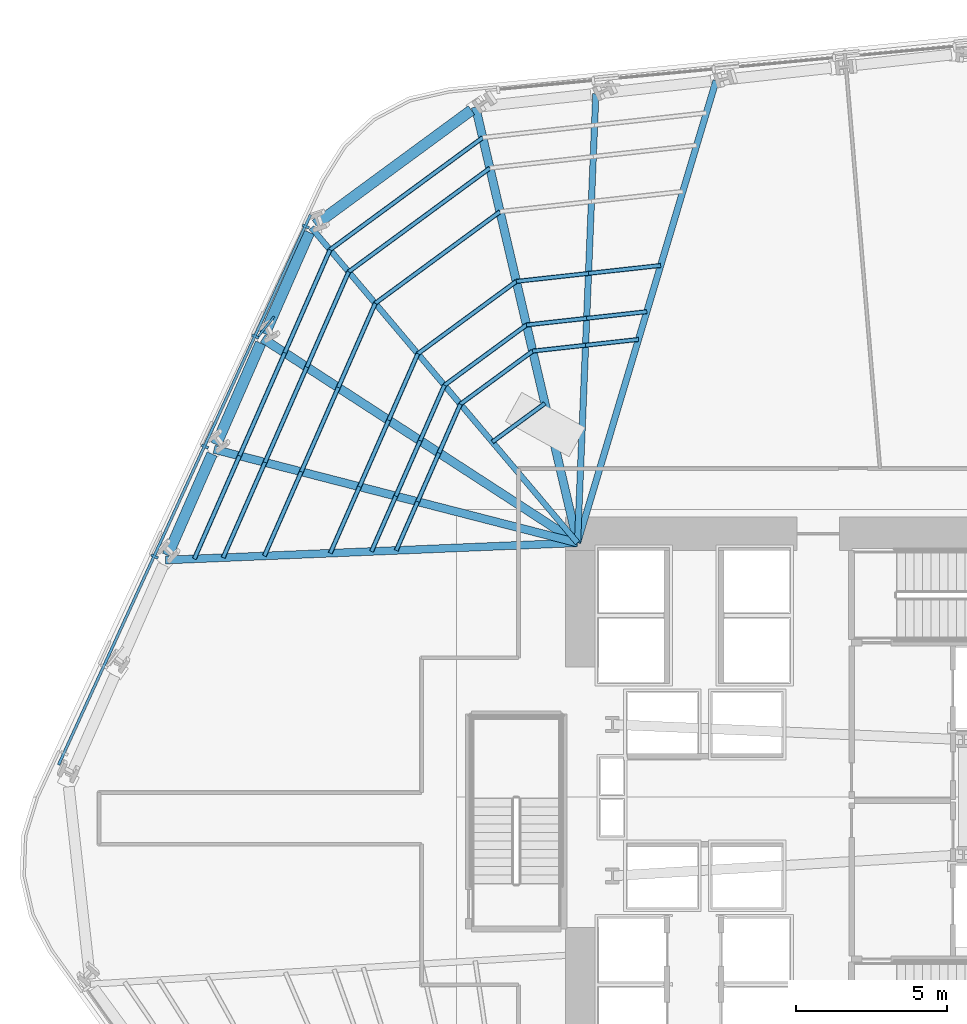
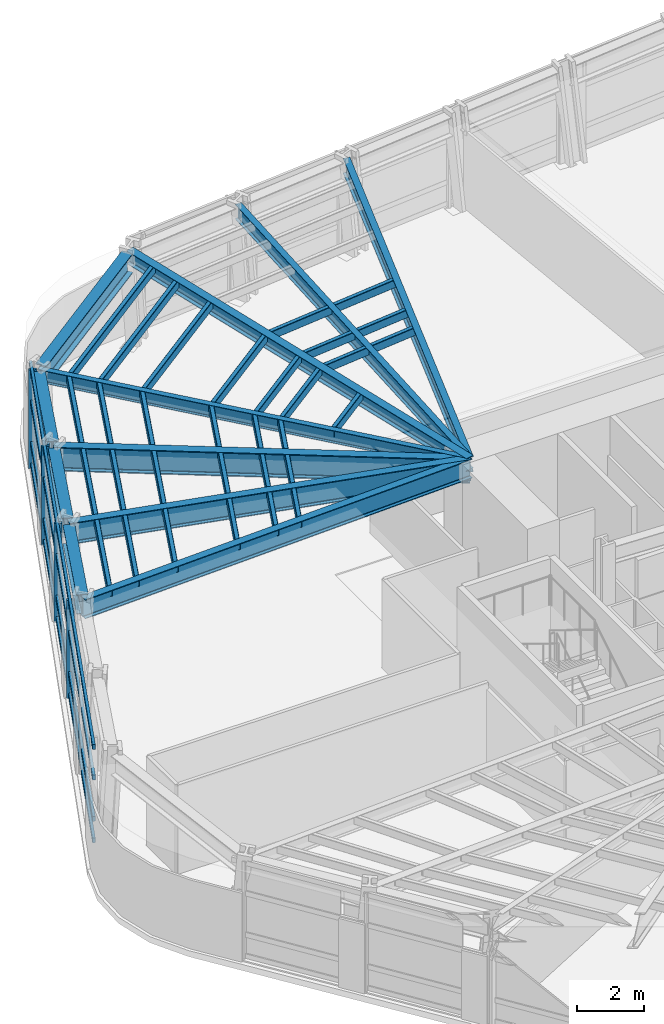
# One storey, part 5 of 16: 40 members, 11 beams, 1 element without a shape of its own.
"""IFC4 building model written with IfcOpenShell, lengths in metres."""

import ifcopenshell
import ifcopenshell.guid

model = None  # the IFC model being written
_history = None  # IfcOwnerHistory: only IFC2X3 demands one
_inside = {}  # id of a spatial element -> (the spatial element, [elements in it])
_under = {}  # id of a project, library or spatial element -> (it, [spatial elements below it])
_declared = {}  # id of a project -> (the project, [libraries it declares])
_typed = {}  # id of a type object -> (the type object, [elements of that type])
_made_of = {}  # id of a material, layer set ... -> (it, [elements and type objects made of it])


def new_model(schema):
    """Start an empty IFC model of exactly this schema.

    Asked for "IFC4X3", IfcOpenShell would pick the latest addendum, in which some entities
    have other attributes; the version numbers below select the first issue.
    IFC2X3 requires an IfcOwnerHistory on every rooted entity: one is made here for all.
    """
    global model, _history
    if schema == "IFC4X3":
        model = ifcopenshell.file(schema_version=(4, 3, 0, 0))
    else:
        model = ifcopenshell.file(schema=schema)
    _inside.clear()
    _under.clear()
    _declared.clear()
    _typed.clear()
    _made_of.clear()
    _history = None
    if model.schema == "IFC2X3":
        org = make("IfcOrganization", Name="unknown")
        user = make(
            "IfcPersonAndOrganization",
            ThePerson=make("IfcPerson", FamilyName="unknown"),
            TheOrganization=org,
        )
        app = make(
            "IfcApplication",
            ApplicationDeveloper=org,
            Version="unknown",
            ApplicationFullName="unknown",
            ApplicationIdentifier="unknown",
        )
        _history = make(
            "IfcOwnerHistory",
            OwningUser=user,
            OwningApplication=app,
            ChangeAction="ADDED",
            CreationDate=0,
        )
    return model


def make(cls, **values):
    """One entity of the class cls with the attributes given. An attribute that is None is left unset."""
    return model.create_entity(
        cls, **{name: value for name, value in values.items() if value is not None}
    )


def rooted(cls, **values):
    """An entity with a GlobalId (a new one), such as an element, a storey or a relation."""
    return make(cls, GlobalId=ifcopenshell.guid.new(), OwnerHistory=_history, **values)


def si_unit(unit_type, name, prefix=None):
    """IfcSIUnit, for example si_unit("LENGTHUNIT", "METRE", prefix="MILLI")."""
    return make("IfcSIUnit", UnitType=unit_type, Prefix=prefix, Name=name)


def assignment(units):
    """IfcUnitAssignment: the units of a project."""
    return None if units is None else make("IfcUnitAssignment", Units=units)


def point(xyz):
    """IfcCartesianPoint."""
    return None if xyz is None else make("IfcCartesianPoint", Coordinates=xyz)


def direction(xyz):
    """IfcDirection."""
    return None if xyz is None else make("IfcDirection", DirectionRatios=xyz)


def frame(location, z_axis=None, x_axis=None):
    """IfcAxis2Placement3D, a coordinate frame: its origin and axes. An axis left out is left unset."""
    return make(
        "IfcAxis2Placement3D",
        Location=point(location),
        Axis=direction(z_axis),
        RefDirection=direction(x_axis),
    )


def frame_2d(location, x_axis=None):
    """IfcAxis2Placement2D, a coordinate frame in the plane: its origin and x axis."""
    return make(
        "IfcAxis2Placement2D", Location=point(location), RefDirection=direction(x_axis)
    )


def origin():
    """The frame at (0, 0, 0) with its axes left unset."""
    return frame((0.0, 0.0, 0.0))


def origin_2d():
    """The frame at (0, 0) in the plane with its x axis left unset."""
    return frame_2d((0.0, 0.0))


def place(relative_to, where):
    """IfcLocalPlacement: puts the frame where relative to a parent placement (None: the world)."""
    return make(
        "IfcLocalPlacement", PlacementRelTo=relative_to, RelativePlacement=where
    )


def context(
    kind, dimensions, precision=None, world=None, true_north=None, identifier=None
):
    """IfcGeometricRepresentationContext, for example the 3D "Model" context."""
    return make(
        "IfcGeometricRepresentationContext",
        ContextIdentifier=identifier,
        ContextType=kind,
        CoordinateSpaceDimension=dimensions,
        Precision=precision,
        WorldCoordinateSystem=world,
        TrueNorth=true_north,
    )


def subcontext(parent, identifier, kind, view, scale=None):
    """IfcGeometricRepresentationSubContext, for example "Body" below "Model"."""
    return make(
        "IfcGeometricRepresentationSubContext",
        ContextIdentifier=identifier,
        ContextType=kind,
        ParentContext=parent,
        TargetScale=scale,
        TargetView=view,
    )


def project(units=None, contexts=None):
    """IfcProject with its units and contexts."""
    return rooted(
        "IfcProject",
        Name="project",
        RepresentationContexts=contexts,
        UnitsInContext=assignment(units),
    )


def spatial(cls, under=None, at=None, **own):
    """A site, building, storey or space (cls), placed at a placement, below another one or the project."""
    s = rooted(cls, ObjectPlacement=at, **own)
    if under is not None:
        _under.setdefault(under.id(), (under, []))[1].append(s)
    return s


def profile(cls, at=None, kind="AREA", **sizes):
    """A parametric profile (cls). Its sizes go by their IFC names, for example OverallWidth=200.0."""
    return make(cls, ProfileType=kind, Position=at, **sizes)


def rectangle(**sizes):
    """IfcRectangleProfileDef."""
    return profile("IfcRectangleProfileDef", **sizes)


def hollow_rectangle(**sizes):
    """IfcRectangleHollowProfileDef."""
    return profile("IfcRectangleHollowProfileDef", **sizes)


def i_section(**sizes):
    """IfcIShapeProfileDef."""
    return profile("IfcIShapeProfileDef", **sizes)


def extrude(swept, where, along, depth):
    """IfcExtrudedAreaSolid: the profile swept, set in the frame where, extruded along a direction by depth."""
    return make(
        "IfcExtrudedAreaSolid",
        SweptArea=swept,
        Position=where,
        ExtrudedDirection=direction(along),
        Depth=depth,
    )


def shape(context_of_items, identifier, shape_type, items):
    """IfcShapeRepresentation: the items that make up one representation, for example the "Body"."""
    return make(
        "IfcShapeRepresentation",
        ContextOfItems=context_of_items,
        RepresentationIdentifier=identifier,
        RepresentationType=shape_type,
        Items=items,
    )


def material(Name=None, Category=None):
    """IfcMaterial."""
    return make("IfcMaterial", Name=Name, Category=Category)


def layer(
    of_material, thickness, ventilated=None, Name=None, Category=None, Priority=None
):
    """IfcMaterialLayer: one layer of a wall or slab, of a material (None: an air gap)."""
    return make(
        "IfcMaterialLayer",
        Material=of_material,
        LayerThickness=thickness,
        IsVentilated=ventilated,
        Name=Name,
        Category=Category,
        Priority=Priority,
    )


def layer_set(layers, Name=None):
    """IfcMaterialLayerSet."""
    return make("IfcMaterialLayerSet", MaterialLayers=layers, LayerSetName=Name)


def material_profile(
    of_material, cross_section, Name=None, Category=None, Priority=None
):
    """IfcMaterialProfile: a cross section and its material."""
    return make(
        "IfcMaterialProfile",
        Name=Name,
        Material=of_material,
        Profile=cross_section,
        Priority=Priority,
        Category=Category,
    )


def profile_set(profiles, Name=None, composite=None):
    """IfcMaterialProfileSet."""
    return make(
        "IfcMaterialProfileSet",
        Name=Name,
        MaterialProfiles=profiles,
        CompositeProfile=composite,
    )


def made_of(thing, what):
    """Note that an element or type object is made of a material, layer set ...; save() writes the relation."""
    if what is not None:
        _made_of.setdefault(what.id(), (what, []))[1].append(thing)
    return thing


def type_object(cls, material=None, **own):
    """A type object (cls), such as IfcWallType, which elements share."""
    return made_of(rooted(cls, **own), material)


def element(
    cls,
    number,
    at=None,
    inside=None,
    cuts=None,
    type_object=None,
    material=None,
    context=None,
    identifier="Body",
    shape_type=None,
    held_by="IfcProductDefinitionShape",
    body=None,
    shapes=None,
    **own,
):
    """One element of the class cls, such as IfcWall. Its Tag is "e" and its number.

    at: its placement. inside: the storey or other place that contains it. cuts: it is an
    opening in that element (IfcRelVoidsElement). A single representation is given by context,
    identifier, shape_type and body (its items); several are given by shapes. held_by: the class
    of the entity that holds the representations. save() writes the other relations.
    """
    e = rooted(cls, Tag="e%d" % number, ObjectPlacement=at, **own)
    if body is not None:
        shapes = [shape(context, identifier, shape_type, body)]
    if shapes is not None:
        e.Representation = make(held_by, Representations=shapes)
    if inside is not None:
        _inside.setdefault(inside.id(), (inside, []))[1].append(e)
    if cuts is not None:
        rooted(
            "IfcRelVoidsElement", RelatingBuildingElement=cuts, RelatedOpeningElement=e
        )
    if type_object is not None:
        _typed.setdefault(type_object.id(), (type_object, []))[1].append(e)
    return made_of(e, material)


def aggregate(whole, parts):
    """IfcRelAggregates: a whole, such as a stair, and the parts it consists of."""
    return rooted("IfcRelAggregates", RelatingObject=whole, RelatedObjects=parts)


def save(model, path):
    """Write the relations noted so far, then the file.

    IfcRelAggregates (storeys below a building ...), IfcRelContainedInSpatialStructure (elements
    in a storey), IfcRelDefinesByType, IfcRelAssociatesMaterial and IfcRelDeclares: one each for
    every whole, place, type object, material and project.
    """
    for whole, parts in _under.values():
        aggregate(whole, parts)
    for where, things in _inside.values():
        rooted(
            "IfcRelContainedInSpatialStructure",
            RelatedElements=things,
            RelatingStructure=where,
        )
    for kind, things in _typed.values():
        rooted("IfcRelDefinesByType", RelatedObjects=things, RelatingType=kind)
    for what, things in _made_of.values():
        rooted("IfcRelAssociatesMaterial", RelatedObjects=things, RelatingMaterial=what)
    for by, libraries in _declared.values():
        rooted("IfcRelDeclares", RelatingContext=by, RelatedDefinitions=libraries)
    model.write(path)


model = new_model("IFC4")

# Units and contexts
model_context = context("Model", 3, precision=1e-05, world=origin(), true_north=direction((0.0, 1.0)))
body_context = subcontext(model_context, "Body", "Model", "MODEL_VIEW")
ifc_project = project(units=[si_unit("LENGTHUNIT", "METRE"), si_unit("AREAUNIT", "SQUARE_METRE"), si_unit("VOLUMEUNIT", "CUBIC_METRE"), si_unit("PLANEANGLEUNIT", "RADIAN"), si_unit("MASSUNIT", "GRAM", prefix="KILO")], contexts=[model_context])

# Site, building, storey
site_placement = place(None, origin())
site = spatial("IfcSite", under=ifc_project, at=site_placement, CompositionType="ELEMENT")
building_placement = place(site_placement, origin())
building = spatial("IfcBuilding", under=site, at=building_placement, Name="Valkerne Bourse Tower", CompositionType="ELEMENT")
storey_placement = place(building_placement, frame((0.0, 0.0, 46.800048828125)))
storey = spatial("IfcBuildingStorey", under=building, at=storey_placement, Name="L11", CompositionType="ELEMENT", Elevation=46.800048828125)

# Beams
ifc_material_1 = material(Name="Steel ASTM A992", Category="steel")
ifc_material_profile_1 = material_profile(ifc_material_1, i_section(OverallWidth=0.1904296875, OverallDepth=0.457275390625, WebThickness=0.009033203125, FlangeThickness=0.014404296875, FilletRadius=0.01513671875, at=origin_2d()), Name="W18X50")
ifc_profile_set_1 = profile_set([ifc_material_profile_1], Name="Steel ASTM A992")
beam_type_1 = type_object("IfcBeamType", Name="BM-W18X50", PredefinedType="JOIST", material=ifc_profile_set_1)
beam_1_placement = place(storey_placement, frame((28.81005859375, 45.80712890625, 3.351318359375), z_axis=(0.64525427899, -0.763967875925, 0.0), x_axis=(0.763967875925, 0.64525427899, 0.0)))
element("IfcBeam", 1, at=beam_1_placement, inside=storey, type_object=beam_type_1, Name="L11 Radial Composite Floor Beam 12", PredefinedType="JOIST", context=body_context, shape_type="SweptSolid", body=[
    extrude(i_section(OverallWidth=0.1904296875, OverallDepth=0.457275390625, WebThickness=0.009033203125, FlangeThickness=0.014404296875, FilletRadius=0.01513671875, at=origin_2d()), origin(), (0.0, 0.0, 1.0), 13.62255859375),
])
ifc_material_profile_2 = material_profile(ifc_material_1, i_section(OverallWidth=0.279296875, OverallDepth=0.46240234375, WebThickness=0.0107421875, FlangeThickness=0.017333984375, FilletRadius=0.017822265625, at=origin_2d()), Name="W18X76")
ifc_profile_set_2 = profile_set([ifc_material_profile_2], Name="Steel ASTM A992")
beam_type_2 = type_object("IfcBeamType", Name="BM-W18X76", PredefinedType="BEAM", material=ifc_profile_set_2)
beam_2_placement = place(storey_placement, frame((34.233154296875, 49.790771484375, 3.348876953125), z_axis=(0.227811826225, -0.973705177059, 0.0), x_axis=(0.973705177059, 0.227811826225, 0.0)))
element("IfcBeam", 2, at=beam_2_placement, inside=storey, type_object=beam_type_2, Name="L11 Radial Composite Floor Beam 11", PredefinedType="BEAM", context=body_context, shape_type="SweptSolid", body=[
    extrude(i_section(OverallWidth=0.279296875, OverallDepth=0.46240234375, WebThickness=0.0107421875, FlangeThickness=0.017333984375, FilletRadius=0.017822265625, at=origin_2d()), origin(), (0.0, 0.0, 1.0), 14.779541015625),
])
ifc_material_profile_3 = material_profile(ifc_material_1, i_section(OverallWidth=0.209228515625, OverallDepth=0.533447265625, WebThickness=0.01025390625, FlangeThickness=0.015625, FilletRadius=0.017822265625, at=origin_2d()), Name="W21X62")
ifc_profile_set_3 = profile_set([ifc_material_profile_3], Name="Steel ASTM A992")
beam_type_3 = type_object("IfcBeamType", Name="BM-W21X62", PredefinedType="JOIST", material=ifc_profile_set_3)
beam_3_placement = place(storey_placement, frame((38.205078125, 50.229248046875, 3.313232421875), z_axis=(-0.040762260565, -0.999168873671, 0.0), x_axis=(0.999168873671, -0.040762260565, 0.0)))
element("IfcBeam", 3, at=beam_3_placement, inside=storey, type_object=beam_type_3, Name="L11 Radial Composite Floor Beam 10", PredefinedType="JOIST", context=body_context, shape_type="SweptSolid", body=[
    extrude(i_section(OverallWidth=0.209228515625, OverallDepth=0.533447265625, WebThickness=0.01025390625, FlangeThickness=0.015625, FilletRadius=0.017822265625, at=origin_2d()), origin(), (0.0, 0.0, 1.0), 14.841796875),
])
ifc_material_profile_4 = material_profile(ifc_material_1, i_section(OverallWidth=0.2138671875, OverallDepth=0.548583984375, WebThickness=0.0146484375, FlangeThickness=0.023681640625, FilletRadius=0.017822265625, at=origin_2d()), Name="W21X93")
ifc_profile_set_4 = profile_set([ifc_material_profile_4], Name="Steel ASTM A992")
beam_type_4 = type_object("IfcBeamType", Name="BM-W21X93", PredefinedType="BEAM", material=ifc_profile_set_4)
beam_4_placement = place(storey_placement, frame((42.177001953125, 50.667724609375, 3.3056640625), z_axis=(-0.287149740739, -0.957885706331, 0.0), x_axis=(0.957885706331, -0.287149740739, 0.0)))
element("IfcBeam", 4, at=beam_4_placement, inside=storey, type_object=beam_type_4, Name="L11 Radial Composite Floor Beam 09", PredefinedType="BEAM", context=body_context, shape_type="SweptSolid", body=[
    extrude(i_section(OverallWidth=0.2138671875, OverallDepth=0.548583984375, WebThickness=0.0146484375, FlangeThickness=0.023681640625, FilletRadius=0.017822265625, at=origin_2d()), origin(), (0.0, 0.0, 1.0), 15.93896484375),
])
ifc_material_profile_5 = material_profile(ifc_material_1, i_section(OverallWidth=0.255859375, OverallDepth=0.693359375, WebThickness=0.014404296875, FlangeThickness=0.023681640625, FilletRadius=0.02294921875, at=origin_2d()), Name="W27X114")
ifc_profile_set_5 = profile_set([ifc_material_profile_5], Name="Steel ASTM A992")
beam_type_5 = type_object("IfcBeamType", Name="BM-W27X114", PredefinedType="BEAM", material=ifc_profile_set_5)
beam_5_placement = place(storey_placement, frame((23.991455078125, 34.830078125, 3.233154296875), z_axis=(0.999124509226, 0.041835571743, 0.0), x_axis=(-0.041835571743, 0.999124509226, 0.0)))
element("IfcBeam", 5, at=beam_5_placement, inside=storey, type_object=beam_type_5, Name="L11 Radial Composite Floor Beam 15", PredefinedType="BEAM", context=body_context, shape_type="SweptSolid", body=[
    extrude(i_section(OverallWidth=0.255859375, OverallDepth=0.693359375, WebThickness=0.014404296875, FlangeThickness=0.023681640625, FilletRadius=0.02294921875, at=origin_2d()), origin(), (0.0, 0.0, 1.0), 13.62060546875),
])
ifc_material_profile_6 = material_profile(ifc_material_1, i_section(OverallWidth=0.358154296875, OverallDepth=0.7060546875, WebThickness=0.018310546875, FlangeThickness=0.0302734375, FilletRadius=0.02294921875, at=origin_2d()), Name="W27X178")
ifc_profile_set_6 = profile_set([ifc_material_profile_6], Name="Steel ASTM A992")
beam_type_6 = type_object("IfcBeamType", Name="BM-W27X178", PredefinedType="SPANDREL", material=ifc_profile_set_6)
beam_6_placement = place(storey_placement, frame((34.09619140625, 49.690185546875, 3.226806640625), z_axis=(-0.805926089663, -0.592016163631, 0.0), x_axis=(0.592016163631, -0.805926089663, 0.0)))
element("IfcBeam", 6, at=beam_6_placement, inside=storey, type_object=beam_type_6, Name="L11 Hexagonal Spandrel Ring Beam 11", PredefinedType="SPANDREL", context=body_context, shape_type="SweptSolid", body=[
    extrude(i_section(OverallWidth=0.358154296875, OverallDepth=0.7060546875, WebThickness=0.018310546875, FlangeThickness=0.0302734375, FilletRadius=0.02294921875, at=origin_2d()), origin(), (0.0, 0.0, 1.0), 6.38916015625),
])
beam_7_placement = place(storey_placement, frame((28.74169921875, 45.651611328125, 3.226806640625), z_axis=(-0.401939536276, -0.915666210569, 0.0), x_axis=(0.915666210569, -0.401939536276, 0.0)))
element("IfcBeam", 7, at=beam_7_placement, inside=storey, type_object=beam_type_6, Name="L11 Hexagonal Spandrel Ring Beam 12", PredefinedType="SPANDREL", context=body_context, shape_type="SweptSolid", body=[
    extrude(i_section(OverallWidth=0.358154296875, OverallDepth=0.7060546875, WebThickness=0.018310546875, FlangeThickness=0.0302734375, FilletRadius=0.02294921875, at=origin_2d()), origin(), (0.0, 0.0, 1.0), 3.656005859375),
])
beam_8_placement = place(storey_placement, frame((27.135498046875, 41.992431640625, 3.226806640625), z_axis=(-0.401964114941, -0.91565542116, 0.0), x_axis=(0.91565542116, -0.401964114941, 0.0)))
element("IfcBeam", 8, at=beam_8_placement, inside=storey, type_object=beam_type_6, Name="L11 Hexagonal Spandrel Ring Beam 13", PredefinedType="SPANDREL", context=body_context, shape_type="SweptSolid", body=[
    extrude(i_section(OverallWidth=0.358154296875, OverallDepth=0.7060546875, WebThickness=0.018310546875, FlangeThickness=0.0302734375, FilletRadius=0.02294921875, at=origin_2d()), origin(), (0.0, 0.0, 1.0), 3.65576171875),
])
beam_9_placement = place(storey_placement, frame((25.529296875, 38.33349609375, 3.226806640625), z_axis=(-0.401939536276, -0.915666210569, 0.0), x_axis=(0.915666210569, -0.401939536276, 0.0)))
element("IfcBeam", 9, at=beam_9_placement, inside=storey, type_object=beam_type_6, Name="L11 Hexagonal Spandrel Ring Beam 14", PredefinedType="SPANDREL", context=body_context, shape_type="SweptSolid", body=[
    extrude(i_section(OverallWidth=0.358154296875, OverallDepth=0.7060546875, WebThickness=0.018310546875, FlangeThickness=0.0302734375, FilletRadius=0.02294921875, at=origin_2d()), origin(), (0.0, 0.0, 1.0), 3.656005859375),
])
ifc_material_profile_7 = material_profile(ifc_material_1, i_section(OverallWidth=0.26806640625, OverallDepth=0.76953125, WebThickness=0.015625, FlangeThickness=0.025390625, FilletRadius=0.025390625, at=origin_2d()), Name="W30X132")
ifc_profile_set_7 = profile_set([ifc_material_profile_7], Name="Steel ASTM A992")
beam_type_7 = type_object("IfcBeamType", Name="BM-W30X132", PredefinedType="BEAM", material=ifc_profile_set_7)
beam_10_placement = place(storey_placement, frame((25.59765625, 38.4892578125, 3.195068359375), z_axis=(0.968434261732, -0.249269092957, 0.0), x_axis=(0.249269092957, 0.968434261732, 0.0)))
element("IfcBeam", 10, at=beam_10_placement, inside=storey, type_object=beam_type_7, Name="L11 Radial Composite Floor Beam 14", PredefinedType="BEAM", context=body_context, shape_type="SweptSolid", body=[
    extrude(i_section(OverallWidth=0.26806640625, OverallDepth=0.76953125, WebThickness=0.015625, FlangeThickness=0.025390625, FilletRadius=0.025390625, at=origin_2d()), origin(), (0.0, 0.0, 1.0), 12.3935546875),
])
ifc_material_profile_8 = material_profile(ifc_material_1, i_section(OverallWidth=0.2919921875, OverallDepth=0.8583984375, WebThickness=0.01708984375, FlangeThickness=0.031005859375, FilletRadius=0.025390625, at=origin_2d()), Name="W33X169")
ifc_profile_set_8 = profile_set([ifc_material_profile_8], Name="Steel ASTM A992")
beam_type_8 = type_object("IfcBeamType", Name="BM-W33X169", PredefinedType="BEAM", material=ifc_profile_set_8)
beam_11_placement = place(storey_placement, frame((27.203857421875, 42.148193359375, 3.150634765625), z_axis=(0.838785027563, -0.544462742101, 0.0), x_axis=(0.544462742101, 0.838785027563, 0.0)))
element("IfcBeam", 11, at=beam_11_placement, inside=storey, type_object=beam_type_8, Name="L11 Radial Composite Floor Beam 13", PredefinedType="BEAM", context=body_context, shape_type="SweptSolid", body=[
    extrude(i_section(OverallWidth=0.2919921875, OverallDepth=0.8583984375, WebThickness=0.01708984375, FlangeThickness=0.031005859375, FilletRadius=0.025390625, at=origin_2d()), origin(), (0.0, 0.0, 1.0), 12.394287109375),
])

# Curtain wall, members
ifc_material_2 = material(Name="Aluminium AA 6063-T6", Category="aluminium")
ifc_layer = layer(ifc_material_2, 0.22509765625)
ifc_layer_set = layer_set([ifc_layer], Name="Aluminium AA 6063-T6")
curtain_wall_type = type_object("IfcCurtainWallType", Name="CW-01", PredefinedType="NOTDEFINED", material=ifc_layer_set)
curtain_wall_placement = place(storey_placement, origin())
curtain_wall = element("IfcCurtainWall", 12, at=curtain_wall_placement, inside=storey, type_object=curtain_wall_type, Name="L11 Hexagonal Stick Curtain Wall Face 3", PredefinedType="NOTDEFINED")
ifc_material_profile_9 = material_profile(ifc_material_2, rectangle(XDim=0.090087890625, YDim=0.239990234375, at=origin_2d()), Name="CWM-90X240")
ifc_profile_set_9 = profile_set([ifc_material_profile_9], Name="Aluminium AA 6063-T6")
member_type_1 = type_object("IfcMemberType", Name="CW-MUL-240X90", PredefinedType="MULLION", material=ifc_profile_set_9)
member_1_placement = place(storey_placement, frame((28.623779296875, 45.84716796875, 0.0), z_axis=(0.0, 0.0, 1.0), x_axis=(-0.416290181483, -0.909231810267, 0.0)))
member_1 = element("IfcMember", 13, at=member_1_placement, type_object=member_type_1, Name="CW-L11-F3 Jamb Mullion 00A", PredefinedType="MULLION", context=body_context, shape_type="SweptSolid", body=[
    extrude(rectangle(XDim=0.090087890625, YDim=0.239990234375, at=origin_2d()), origin(), (0.0, 0.0, 1.0), 3.579833984375),
])
member_2_placement = place(storey_placement, frame((26.960205078125, 42.2138671875, 0.0), z_axis=(0.0, 0.0, 1.0), x_axis=(-0.416269492971, -0.909241282181, 0.0)))
member_2 = element("IfcMember", 14, at=member_2_placement, type_object=member_type_1, Name="CW-L11-F3 Jamb Mullion 01A", PredefinedType="MULLION", context=body_context, shape_type="SweptSolid", body=[
    extrude(rectangle(XDim=0.090087890625, YDim=0.239990234375, at=origin_2d()), origin(), (0.0, 0.0, 1.0), 3.579833984375),
])
member_3_placement = place(storey_placement, frame((25.296875, 38.58056640625, 0.0), z_axis=(0.0, 0.0, 1.0), x_axis=(-0.416290181483, -0.909231810267, 0.0)))
member_3 = element("IfcMember", 15, at=member_3_placement, type_object=member_type_1, Name="CW-L11-F3 Jamb Mullion 02A", PredefinedType="MULLION", context=body_context, shape_type="SweptSolid", body=[
    extrude(rectangle(XDim=0.090087890625, YDim=0.239990234375, at=origin_2d()), origin(), (0.0, 0.0, 1.0), 3.579833984375),
])
member_4_placement = place(storey_placement, frame((23.63330078125, 34.947265625, 0.0), z_axis=(0.0, 0.0, 1.0), x_axis=(-0.416269492971, -0.909241282181, 0.0)))
member_4 = element("IfcMember", 16, at=member_4_placement, type_object=member_type_1, Name="CW-L11-F3 Jamb Mullion 03A", PredefinedType="MULLION", context=body_context, shape_type="SweptSolid", body=[
    extrude(rectangle(XDim=0.090087890625, YDim=0.239990234375, at=origin_2d()), origin(), (0.0, 0.0, 1.0), 3.579833984375),
])
ifc_material_profile_10 = material_profile(ifc_material_2, rectangle(XDim=0.090087890625, YDim=0.179931640625, at=origin_2d()), Name="CWT-90X180")
ifc_profile_set_10 = profile_set([ifc_material_profile_10], Name="Aluminium AA 6063-T6")
member_type_2 = type_object("IfcMemberType", Name="CW-TRN-180X90", PredefinedType="USERDEFINED", material=ifc_profile_set_10)
member_5_placement = place(storey_placement, frame((28.780517578125, 46.2373046875, 0.119873046875), z_axis=(-0.416285258669, -0.909234064152, 0.0), x_axis=(0.909234064152, -0.416285258669, 0.0)))
member_5 = element("IfcMember", 17, at=member_5_placement, type_object=member_type_2, Name="CW-L11-F3 Continuous Face Transom 1", ObjectType="TRANSOM", PredefinedType="USERDEFINED", context=body_context, shape_type="SweptSolid", body=[
    extrude(rectangle(XDim=0.090087890625, YDim=0.179931640625, at=origin_2d()), origin(), (0.0, 0.0, 1.0), 19.97998046875),
])
member_6_placement = place(storey_placement, frame((28.780517578125, 46.2373046875, 0.89990234375), z_axis=(-0.416285258669, -0.909234064152, 0.0), x_axis=(0.909234064152, -0.416285258669, 0.0)))
member_6 = element("IfcMember", 18, at=member_6_placement, type_object=member_type_2, Name="CW-L11-F3 Continuous Face Transom 2", ObjectType="TRANSOM", PredefinedType="USERDEFINED", context=body_context, shape_type="SweptSolid", body=[
    extrude(rectangle(XDim=0.090087890625, YDim=0.179931640625, at=origin_2d()), origin(), (0.0, 0.0, 1.0), 19.97998046875),
])
member_7_placement = place(storey_placement, frame((28.780517578125, 46.2373046875, 2.39990234375), z_axis=(-0.416285258669, -0.909234064152, 0.0), x_axis=(0.909234064152, -0.416285258669, 0.0)))
member_7 = element("IfcMember", 19, at=member_7_placement, type_object=member_type_2, Name="CW-L11-F3 Continuous Face Transom 3", ObjectType="TRANSOM", PredefinedType="USERDEFINED", context=body_context, shape_type="SweptSolid", body=[
    extrude(rectangle(XDim=0.090087890625, YDim=0.179931640625, at=origin_2d()), origin(), (0.0, 0.0, 1.0), 19.97998046875),
])
member_8_placement = place(storey_placement, frame((28.780517578125, 46.2373046875, 3.5), z_axis=(-0.416285258669, -0.909234064152, 0.0), x_axis=(0.909234064152, -0.416285258669, 0.0)))
member_8 = element("IfcMember", 20, at=member_8_placement, type_object=member_type_2, Name="CW-L11-F3 Continuous Face Transom 4", ObjectType="TRANSOM", PredefinedType="USERDEFINED", context=body_context, shape_type="SweptSolid", body=[
    extrude(rectangle(XDim=0.090087890625, YDim=0.179931640625, at=origin_2d()), origin(), (0.0, 0.0, 1.0), 19.97998046875),
])
aggregate(curtain_wall, [member_5, member_6, member_7, member_8, member_1, member_2, member_3, member_4])

# Members
ifc_material_3 = material(Name="Bronze Anodised Aluminium AA 6063-T6", Category="aluminium")
ifc_material_profile_11 = material_profile(ifc_material_3, rectangle(XDim=0.070068359375, YDim=0.89990234375, at=origin_2d()), Name="FIN-70X900")
ifc_profile_set_11 = profile_set([ifc_material_profile_11], Name="Bronze Anodised Aluminium AA 6063-T6")
member_type_3 = type_object("IfcMemberType", Name="FIN-SOLAR-900", PredefinedType="USERDEFINED", material=ifc_profile_set_11)
member_9_placement = place(storey_placement, frame((27.298583984375, 42.520751953125, 0.00390625), z_axis=(0.0, 0.0, 1.0), x_axis=(-0.783046431117, 0.6219632519, 0.0)))
element("IfcMember", 21, at=member_9_placement, inside=storey, type_object=member_type_3, Name="L11 Bronze Anodised Solar Fin F3-01", ObjectType="SOLAR_FIN", PredefinedType="USERDEFINED", context=body_context, shape_type="SweptSolid", body=[
    extrude(rectangle(XDim=0.070068359375, YDim=0.89990234375, at=origin_2d()), origin(), (0.0, 0.0, 1.0), 3.572021484375),
])
ifc_material_4 = material(Name="Steel ASTM A500 Grade C", Category="steel")
ifc_material_profile_12 = material_profile(ifc_material_4, hollow_rectangle(XDim=0.14990234375, YDim=0.300048828125, WallThickness=0.012451171875, OuterFilletRadius=0.02490234375, at=origin_2d()), Name="HSS300X150X12.5")
ifc_profile_set_12 = profile_set([ifc_material_profile_12], Name="Steel ASTM A500 Grade C")
member_type_4 = type_object("IfcMemberType", Name="MBR-HSS300X150X12.5", PredefinedType="PURLIN", material=ifc_profile_set_12)
member_10_placement = place(storey_placement, frame((36.522705078125, 40.005126953125, 3.419921875), z_axis=(-0.805932590908, -0.592007313226, 0.0), x_axis=(0.592007313226, -0.805932590908, 0.0)))
element("IfcMember", 22, at=member_10_placement, inside=storey, type_object=member_type_4, Name="L11 Secondary Composite Floor Purlin I-11", PredefinedType="PURLIN", context=body_context, shape_type="SweptSolid", body=[
    extrude(hollow_rectangle(XDim=0.14990234375, YDim=0.300048828125, WallThickness=0.012451171875, OuterFilletRadius=0.02490234375, at=origin_2d()), origin(), (0.0, 0.0, 1.0), 2.153564453125),
])
member_11_placement = place(storey_placement, frame((39.61376953125, 42.117919921875, 3.419921875), z_axis=(-0.993949599429, -0.109837123938, 0.0), x_axis=(0.109837123938, -0.993949599429, 0.0)))
element("IfcMember", 23, at=member_11_placement, inside=storey, type_object=member_type_4, Name="L11 Secondary Composite Floor Purlin K-09", PredefinedType="PURLIN", context=body_context, shape_type="SweptSolid", body=[
    extrude(hollow_rectangle(XDim=0.14990234375, YDim=0.300048828125, WallThickness=0.012451171875, OuterFilletRadius=0.02490234375, at=origin_2d()), origin(), (0.0, 0.0, 1.0), 1.75830078125),
])
member_12_placement = place(storey_placement, frame((37.8662109375, 41.9248046875, 3.419921875), z_axis=(-0.993964749738, -0.109699937454, 0.0), x_axis=(0.109699937454, -0.993964749738, 0.0)))
element("IfcMember", 24, at=member_12_placement, inside=storey, type_object=member_type_4, Name="L11 Secondary Composite Floor Purlin K-10", PredefinedType="PURLIN", context=body_context, shape_type="SweptSolid", body=[
    extrude(hollow_rectangle(XDim=0.14990234375, YDim=0.300048828125, WallThickness=0.012451171875, OuterFilletRadius=0.02490234375, at=origin_2d()), origin(), (0.0, 0.0, 1.0), 1.758056640625),
])
member_13_placement = place(storey_placement, frame((36.11865234375, 41.73193359375, 3.419921875), z_axis=(-0.805956481486, -0.591974788273, 0.0), x_axis=(0.591974788273, -0.805956481486, 0.0)))
element("IfcMember", 25, at=member_13_placement, inside=storey, type_object=member_type_4, Name="L11 Secondary Composite Floor Purlin K-11", PredefinedType="PURLIN", context=body_context, shape_type="SweptSolid", body=[
    extrude(hollow_rectangle(XDim=0.14990234375, YDim=0.300048828125, WallThickness=0.012451171875, OuterFilletRadius=0.02490234375, at=origin_2d()), origin(), (0.0, 0.0, 1.0), 2.960693359375),
])
member_14_placement = place(storey_placement, frame((33.732421875, 39.979248046875, 3.419921875), z_axis=(-0.401947474166, -0.915662726123, 0.0), x_axis=(0.915662726123, -0.401947474166, 0.0)))
element("IfcMember", 26, at=member_14_placement, inside=storey, type_object=member_type_4, Name="L11 Secondary Composite Floor Purlin K-12", PredefinedType="PURLIN", context=body_context, shape_type="SweptSolid", body=[
    extrude(hollow_rectangle(XDim=0.14990234375, YDim=0.300048828125, WallThickness=0.012451171875, OuterFilletRadius=0.02490234375, at=origin_2d()), origin(), (0.0, 0.0, 1.0), 1.75830078125),
])
member_15_placement = place(storey_placement, frame((33.025634765625, 38.369140625, 3.419921875), z_axis=(-0.401882151337, -0.915691398036, 0.0), x_axis=(0.915691398036, -0.401882151337, 0.0)))
element("IfcMember", 27, at=member_15_placement, inside=storey, type_object=member_type_4, Name="L11 Secondary Composite Floor Purlin K-13", PredefinedType="PURLIN", context=body_context, shape_type="SweptSolid", body=[
    extrude(hollow_rectangle(XDim=0.14990234375, YDim=0.300048828125, WallThickness=0.012451171875, OuterFilletRadius=0.02490234375, at=origin_2d()), origin(), (0.0, 0.0, 1.0), 1.758056640625),
])
member_16_placement = place(storey_placement, frame((32.319091796875, 36.75927734375, 3.419921875), z_axis=(-0.401998580588, -0.915640290292, 0.0), x_axis=(0.915640290292, -0.401998580588, 0.0)))
element("IfcMember", 28, at=member_16_placement, inside=storey, type_object=member_type_4, Name="L11 Secondary Composite Floor Purlin K-14", PredefinedType="PURLIN", context=body_context, shape_type="SweptSolid", body=[
    extrude(hollow_rectangle(XDim=0.14990234375, YDim=0.300048828125, WallThickness=0.012451171875, OuterFilletRadius=0.02490234375, at=origin_2d()), origin(), (0.0, 0.0, 1.0), 1.75830078125),
])
member_17_placement = place(storey_placement, frame((39.888427734375, 43.033935546875, 3.419921875), z_axis=(-0.993960981582, -0.109734074436, 0.0), x_axis=(0.109734074436, -0.993960981582, 0.0)))
element("IfcMember", 29, at=member_17_placement, inside=storey, type_object=member_type_4, Name="L11 Secondary Composite Floor Purlin M-09", PredefinedType="PURLIN", context=body_context, shape_type="SweptSolid", body=[
    extrude(hollow_rectangle(XDim=0.14990234375, YDim=0.300048828125, WallThickness=0.012451171875, OuterFilletRadius=0.02490234375, at=origin_2d()), origin(), (0.0, 0.0, 1.0), 1.997802734375),
])
member_18_placement = place(storey_placement, frame((37.902587890625, 42.814697265625, 3.419921875), z_axis=(-0.993962452773, -0.109720747706, 0.0), x_axis=(0.109720747706, -0.993962452773, 0.0)))
element("IfcMember", 30, at=member_18_placement, inside=storey, type_object=member_type_4, Name="L11 Secondary Composite Floor Purlin M-10", PredefinedType="PURLIN", context=body_context, shape_type="SweptSolid", body=[
    extrude(hollow_rectangle(XDim=0.14990234375, YDim=0.300048828125, WallThickness=0.012451171875, OuterFilletRadius=0.02490234375, at=origin_2d()), origin(), (0.0, 0.0, 1.0), 1.998046875),
])
member_19_placement = place(storey_placement, frame((35.91650390625, 42.595458984375, 3.419921875), z_axis=(-0.805899477639, -0.592052389524, 0.0), x_axis=(0.592052389524, -0.805899477639, 0.0)))
element("IfcMember", 31, at=member_19_placement, inside=storey, type_object=member_type_4, Name="L11 Secondary Composite Floor Purlin M-11", PredefinedType="PURLIN", context=body_context, shape_type="SweptSolid", body=[
    extrude(hollow_rectangle(XDim=0.14990234375, YDim=0.300048828125, WallThickness=0.012451171875, OuterFilletRadius=0.02490234375, at=origin_2d()), origin(), (0.0, 0.0, 1.0), 3.364501953125),
])
member_20_placement = place(storey_placement, frame((33.205078125, 40.603515625, 3.419921875), z_axis=(-0.402030042507, -0.915626476748, 0.0), x_axis=(0.915626476748, -0.402030042507, 0.0)))
element("IfcMember", 32, at=member_20_placement, inside=storey, type_object=member_type_4, Name="L11 Secondary Composite Floor Purlin M-12", PredefinedType="PURLIN", context=body_context, shape_type="SweptSolid", body=[
    extrude(hollow_rectangle(XDim=0.14990234375, YDim=0.300048828125, WallThickness=0.012451171875, OuterFilletRadius=0.02490234375, at=origin_2d()), origin(), (0.0, 0.0, 1.0), 1.997802734375),
])
for number, where, z_axis, x_axis, name in (
    (33, (32.40185546875, 38.774169921875, 3.419921875), (-0.401882617466, -0.915691193459, 0.0), (0.915691193459, -0.401882617466, 0.0), "L11 Secondary Composite Floor Purlin M-13"),
    (34, (31.598876953125, 36.944580078125, 3.419921875), (-0.401985064982, -0.915646224003, 0.0), (0.915646224003, -0.401985064982, 0.0), "L11 Secondary Composite Floor Purlin M-14"),
):
    element("IfcMember", number, at=place(storey_placement, frame(where, z_axis=z_axis, x_axis=x_axis)), inside=storey, type_object=member_type_4, Name=name, PredefinedType="PURLIN", context=body_context, shape_type="SweptSolid", body=[
        extrude(hollow_rectangle(XDim=0.14990234375, YDim=0.300048828125, WallThickness=0.012451171875, OuterFilletRadius=0.02490234375, at=origin_2d()), origin(), (0.0, 0.0, 1.0), 1.998046875),
    ])
member_21_placement = place(storey_placement, frame((35.041259765625, 46.3369140625, 3.419921875), z_axis=(-0.805952468541, -0.591980251742, 0.0), x_axis=(0.591980251742, -0.805952468541, 0.0)))
element("IfcMember", 35, at=member_21_placement, inside=storey, type_object=member_type_4, Name="L11 Secondary Composite Floor Purlin O-11", PredefinedType="PURLIN", context=body_context, shape_type="SweptSolid", body=[
    extrude(hollow_rectangle(XDim=0.14990234375, YDim=0.300048828125, WallThickness=0.012451171875, OuterFilletRadius=0.02490234375, at=origin_2d()), origin(), (0.0, 0.0, 1.0), 5.114013671875),
])
member_22_placement = place(storey_placement, frame((30.919677734375, 43.3095703125, 3.419921875), z_axis=(-0.401927596941, -0.91567145135, 0.0), x_axis=(0.91567145135, -0.401927596941, 0.0)))
element("IfcMember", 36, at=member_22_placement, inside=storey, type_object=member_type_4, Name="L11 Secondary Composite Floor Purlin O-12", PredefinedType="PURLIN", context=body_context, shape_type="SweptSolid", body=[
    extrude(hollow_rectangle(XDim=0.14990234375, YDim=0.300048828125, WallThickness=0.012451171875, OuterFilletRadius=0.02490234375, at=origin_2d()), origin(), (0.0, 0.0, 1.0), 3.037109375),
])
for number, where, z_axis, x_axis, name in (
    (37, (29.698974609375, 40.528564453125, 3.419921875), (-0.401957183483, -0.915658463974, 0.0), (0.915658463974, -0.401957183483, 0.0), "L11 Secondary Composite Floor Purlin O-13"),
    (38, (28.478271484375, 37.747802734375, 3.419921875), (-0.401957183483, -0.915658463974, 0.0), (0.915658463974, -0.401957183483, 0.0), "L11 Secondary Composite Floor Purlin O-14"),
):
    element("IfcMember", number, at=place(storey_placement, frame(where, z_axis=z_axis, x_axis=x_axis)), inside=storey, type_object=member_type_4, Name=name, PredefinedType="PURLIN", context=body_context, shape_type="SweptSolid", body=[
        extrude(hollow_rectangle(XDim=0.14990234375, YDim=0.300048828125, WallThickness=0.012451171875, OuterFilletRadius=0.02490234375, at=origin_2d()), origin(), (0.0, 0.0, 1.0), 3.036865234375),
    ])
member_23_placement = place(storey_placement, frame((40.34619140625, 44.560791015625, 3.419921875), z_axis=(-0.993958010272, -0.109760984949, 0.0), x_axis=(0.109760984949, -0.993958010272, 0.0)))
element("IfcMember", 39, at=member_23_placement, inside=storey, type_object=member_type_4, Name="L11 Secondary Composite Floor Purlin Z-09", PredefinedType="PURLIN", context=body_context, shape_type="SweptSolid", body=[
    extrude(hollow_rectangle(XDim=0.14990234375, YDim=0.300048828125, WallThickness=0.012451171875, OuterFilletRadius=0.02490234375, at=origin_2d()), origin(), (0.0, 0.0, 1.0), 2.397705078125),
])
member_24_placement = place(storey_placement, frame((37.962890625, 44.297607421875, 3.419921875), z_axis=(-0.993956783422, -0.109772094307, 0.0), x_axis=(0.109772094307, -0.993956783422, 0.0)))
element("IfcMember", 40, at=member_24_placement, inside=storey, type_object=member_type_4, Name="L11 Secondary Composite Floor Purlin Z-10", PredefinedType="PURLIN", context=body_context, shape_type="SweptSolid", body=[
    extrude(hollow_rectangle(XDim=0.14990234375, YDim=0.300048828125, WallThickness=0.012451171875, OuterFilletRadius=0.02490234375, at=origin_2d()), origin(), (0.0, 0.0, 1.0), 2.3974609375),
])
member_25_placement = place(storey_placement, frame((35.579833984375, 44.034423828125, 3.419921875), z_axis=(-0.805918320647, -0.592026739637, 0.0), x_axis=(0.592026739637, -0.805918320647, 0.0)))
element("IfcMember", 41, at=member_25_placement, inside=storey, type_object=member_type_4, Name="L11 Secondary Composite Floor Purlin Z-11", PredefinedType="PURLIN", context=body_context, shape_type="SweptSolid", body=[
    extrude(hollow_rectangle(XDim=0.14990234375, YDim=0.300048828125, WallThickness=0.012451171875, OuterFilletRadius=0.02490234375, at=origin_2d()), origin(), (0.0, 0.0, 1.0), 4.037109375),
])
for number, where, z_axis, x_axis, name in (
    (42, (32.326171875, 41.644287109375, 3.419921875), (-0.402015048988, -0.915633059903, 0.0), (0.915633059903, -0.402015048988, 0.0), "L11 Secondary Composite Floor Purlin Z-12"),
    (43, (31.3623046875, 39.448974609375, 3.419921875), (-0.401892198708, -0.915686988341, 0.0), (0.915686988341, -0.401892198708, 0.0), "L11 Secondary Composite Floor Purlin Z-13"),
    (44, (30.398681640625, 37.25341796875, 3.419921875), (-0.402015048988, -0.915633059903, 0.0), (0.915633059903, -0.402015048988, 0.0), "L11 Secondary Composite Floor Purlin Z-14"),
):
    element("IfcMember", number, at=place(storey_placement, frame(where, z_axis=z_axis, x_axis=x_axis)), inside=storey, type_object=member_type_4, Name=name, PredefinedType="PURLIN", context=body_context, shape_type="SweptSolid", body=[
        extrude(hollow_rectangle(XDim=0.14990234375, YDim=0.300048828125, WallThickness=0.012451171875, OuterFilletRadius=0.02490234375, at=origin_2d()), origin(), (0.0, 0.0, 1.0), 2.397705078125),
    ])
member_26_placement = place(storey_placement, frame((34.70458984375, 47.776123046875, 3.419921875), z_axis=(-0.805919195164, -0.592025549167, 0.0), x_axis=(0.592025549167, -0.805919195164, 0.0)))
element("IfcMember", 45, at=member_26_placement, inside=storey, type_object=member_type_4, Name="L11 Secondary Composite Floor Purlin T-11", PredefinedType="PURLIN", context=body_context, shape_type="SweptSolid", body=[
    extrude(hollow_rectangle(XDim=0.14990234375, YDim=0.300048828125, WallThickness=0.012451171875, OuterFilletRadius=0.02490234375, at=origin_2d()), origin(), (0.0, 0.0, 1.0), 5.786865234375),
])
member_27_placement = place(storey_placement, frame((30.040771484375, 44.35009765625, 3.419921875), z_axis=(-0.401981345084, -0.915647857096, 0.0), x_axis=(0.915647857096, -0.401981345084, 0.0)))
element("IfcMember", 46, at=member_27_placement, inside=storey, type_object=member_type_4, Name="L11 Secondary Composite Floor Purlin T-12", PredefinedType="PURLIN", context=body_context, shape_type="SweptSolid", body=[
    extrude(hollow_rectangle(XDim=0.14990234375, YDim=0.300048828125, WallThickness=0.012451171875, OuterFilletRadius=0.02490234375, at=origin_2d()), origin(), (0.0, 0.0, 1.0), 3.436279296875),
])
member_28_placement = place(storey_placement, frame((28.659423828125, 41.20361328125, 3.419921875), z_axis=(-0.401929050553, -0.915670813296, 0.0), x_axis=(0.915670813296, -0.401929050553, 0.0)))
element("IfcMember", 47, at=member_28_placement, inside=storey, type_object=member_type_4, Name="L11 Secondary Composite Floor Purlin T-13", PredefinedType="PURLIN", context=body_context, shape_type="SweptSolid", body=[
    extrude(hollow_rectangle(XDim=0.14990234375, YDim=0.300048828125, WallThickness=0.012451171875, OuterFilletRadius=0.02490234375, at=origin_2d()), origin(), (0.0, 0.0, 1.0), 3.436767578125),
])
member_29_placement = place(storey_placement, frame((27.278076171875, 38.056640625, 3.419921875), z_axis=(-0.401955196282, -0.915659336316, 0.0), x_axis=(0.915659336316, -0.401955196282, 0.0)))
element("IfcMember", 48, at=member_29_placement, inside=storey, type_object=member_type_4, Name="L11 Secondary Composite Floor Purlin T-14", PredefinedType="PURLIN", context=body_context, shape_type="SweptSolid", body=[
    extrude(hollow_rectangle(XDim=0.14990234375, YDim=0.300048828125, WallThickness=0.012451171875, OuterFilletRadius=0.02490234375, at=origin_2d()), origin(), (0.0, 0.0, 1.0), 3.4365234375),
])
member_30_placement = place(storey_placement, frame((34.468994140625, 48.783447265625, 3.419921875), z_axis=(-0.805938411222, -0.591999389626, 0.0), x_axis=(0.591999389626, -0.805938411222, 0.0)))
element("IfcMember", 49, at=member_30_placement, inside=storey, type_object=member_type_4, Name="L11 Secondary Composite Floor Purlin U-11", PredefinedType="PURLIN", context=body_context, shape_type="SweptSolid", body=[
    extrude(hollow_rectangle(XDim=0.14990234375, YDim=0.300048828125, WallThickness=0.012451171875, OuterFilletRadius=0.02490234375, at=origin_2d()), origin(), (0.0, 0.0, 1.0), 6.258056640625),
])
for number, where, z_axis, x_axis, name in (
    (50, (29.42529296875, 45.07861328125, 3.419921875), (-0.401928264263, -0.915671158433, 0.0), (0.915671158433, -0.401928264263, 0.0), "L11 Secondary Composite Floor Purlin U-12"),
    (51, (27.931640625, 41.67578125, 3.419921875), (-0.401928264263, -0.915671158433, 0.0), (0.915671158433, -0.401928264263, 0.0), "L11 Secondary Composite Floor Purlin U-13"),
    (52, (26.43798828125, 38.27294921875, 3.419921875), (-0.401983345152, -0.915646979037, 0.0), (0.915646979037, -0.401983345152, 0.0), "L11 Secondary Composite Floor Purlin U-14"),
):
    element("IfcMember", number, at=place(storey_placement, frame(where, z_axis=z_axis, x_axis=x_axis)), inside=storey, type_object=member_type_4, Name=name, PredefinedType="PURLIN", context=body_context, shape_type="SweptSolid", body=[
        extrude(hollow_rectangle(XDim=0.14990234375, YDim=0.300048828125, WallThickness=0.012451171875, OuterFilletRadius=0.02490234375, at=origin_2d()), origin(), (0.0, 0.0, 1.0), 3.71630859375),
    ])

save(model, "model.ifc")
